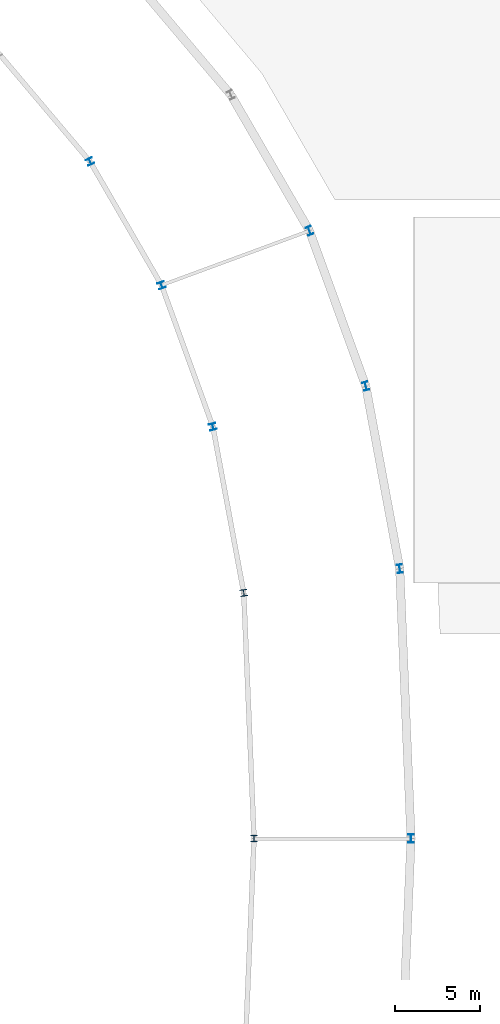
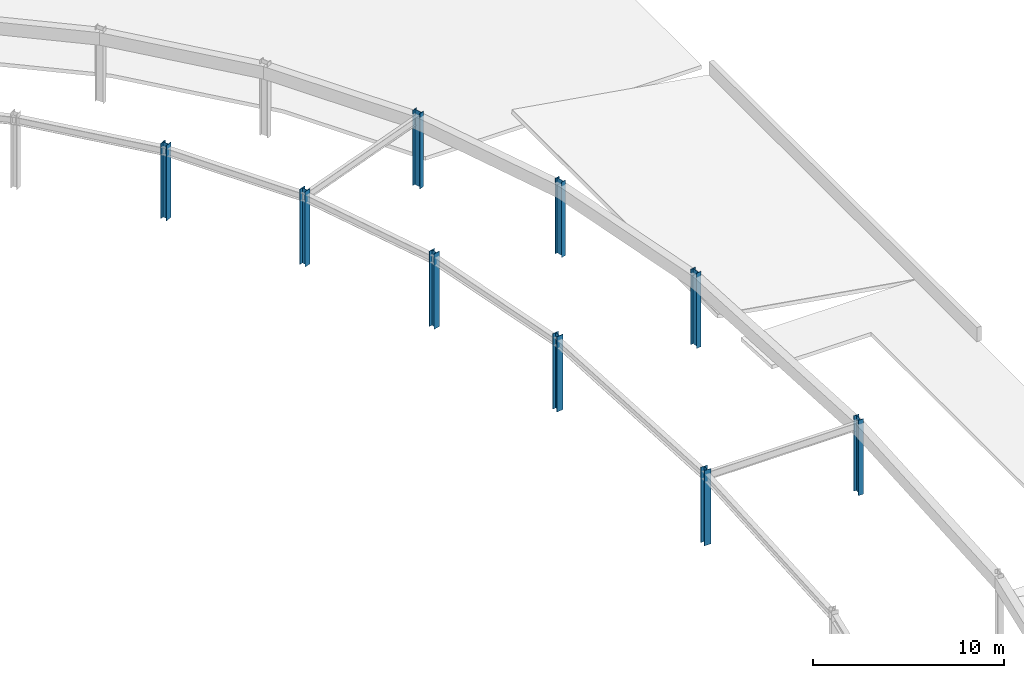
# One storey, part 7 of 45: 9 columns.
"""IFC4 building model written with IfcOpenShell, lengths in metres."""

from ifc_helpers import new_model, si_unit, direction, frame, origin, origin_2d, place, context, subcontext, project, spatial, i_section, extrude, material, material_profile, profile_set, type_object, element, save


model = new_model("IFC4")

# Units and contexts
model_context = context("Model", 3, precision=1e-05, world=origin(), true_north=direction((0.0, 1.0)))
body_context = subcontext(model_context, "Body", "Model", "MODEL_VIEW")
ifc_project = project(units=[si_unit("LENGTHUNIT", "METRE"), si_unit("AREAUNIT", "SQUARE_METRE"), si_unit("VOLUMEUNIT", "CUBIC_METRE"), si_unit("PLANEANGLEUNIT", "RADIAN"), si_unit("MASSUNIT", "GRAM", prefix="KILO")], contexts=[model_context])

# Site, building, storey
site_placement = place(None, origin())
site = spatial("IfcSite", under=ifc_project, at=site_placement, CompositionType="ELEMENT")
building_placement = place(site_placement, origin())
building = spatial("IfcBuilding", under=site, at=building_placement, Name="Mphavela Belvedere Stadium", CompositionType="ELEMENT")
storey_placement = place(building_placement, frame((0.0, 0.0, 24.0)))
storey = spatial("IfcBuildingStorey", under=building, at=storey_placement, Name="L05", CompositionType="ELEMENT", Elevation=24.0)

# Columns
ifc_material_1 = material(Name="Steel S355", Category="steel")
ifc_material_profile_1 = material_profile(ifc_material_1, i_section(OverallWidth=0.39501953125, OverallDepth=0.3798828125, WebThickness=0.0166015625, FlangeThickness=0.02587890625, at=origin_2d()), Name="HD 400x237")
ifc_profile_set_1 = profile_set([ifc_material_profile_1], Name="Steel S355")
column_type_1 = type_object("IfcColumnType", Name="COL-STEEL-HD400", PredefinedType="COLUMN", material=ifc_profile_set_1)
for number, where, z_axis, x_axis, name in (
    (1, (208.60498046875, 87.0, 0.0), (0.0, 0.0, 1.0), (1.0, 0.0, 0.0), "Main bowl column L05 R3-01"),
    (2, (208.0, 101.4248046875, 0.0), (0.0, 0.0, 1.0), (0.98817491911, 0.153330783737, 0.0), "Main bowl column L05 R3-02"),
    (3, (206.1875, 111.181884765625, 0.0), (0.0, 0.0, 1.0), (0.966600102017, 0.256289373133, 0.0), "Main bowl column L05 R3-03"),
    (4, (203.175537109375, 119.484375, 0.0), (0.0, 0.0, 1.0), (0.938372433776, 0.34562577382, 0.0), "Main bowl column L05 R3-04"),
    (5, (198.9755859375, 126.748291015625, 0.0), (0.0, 0.0, 1.0), (0.903858661687, 0.4278311813, 0.0), "Main bowl column L05 R3-05"),
):
    element("IfcColumn", number, at=place(storey_placement, frame(where, z_axis=z_axis, x_axis=x_axis)), inside=storey, type_object=column_type_1, Name=name, PredefinedType="COLUMN", context=body_context, shape_type="SweptSolid", body=[
        extrude(i_section(OverallWidth=0.39501953125, OverallDepth=0.3798828125, WebThickness=0.0166015625, FlangeThickness=0.02587890625, at=origin_2d()), origin(), (0.0, 0.0, 1.0), 4.800048828125),
    ])
ifc_material_2 = material(Name="Steel S355", Category="steel")
ifc_material_profile_2 = material_profile(ifc_material_2, i_section(OverallWidth=0.300048828125, OverallDepth=0.5, WebThickness=0.014404296875, FlangeThickness=0.028076171875, at=origin_2d()), Name="HEB 500")
ifc_profile_set_2 = profile_set([ifc_material_profile_2], Name="Steel S355")
column_type_2 = type_object("IfcColumnType", Name="COL-STEEL-HEB500", PredefinedType="COLUMN", material=ifc_profile_set_2)
for number, where, z_axis, x_axis, name in (
    (6, (217.820068359375, 87.0, 0.0), (0.0, 0.0, 1.0), (1.0, 0.0, 0.0), "Outer colonnade column L05 R4-01"),
    (7, (217.155517578125, 102.844970703125, 0.0), (0.0, 0.0, 1.0), (0.98817491911, 0.153330783737, 0.0), "Outer colonnade column L05 R4-02"),
    (8, (215.16455078125, 113.5625, 0.0), (0.0, 0.0, 1.0), (0.966600102017, 0.256289373133, 0.0), "Outer colonnade column L05 R4-03"),
    (9, (211.856201171875, 122.682373046875, 0.0), (0.0, 0.0, 1.0), (0.938372433776, 0.34562577382, 0.0), "Outer colonnade column L05 R4-04"),
):
    element("IfcColumn", number, at=place(storey_placement, frame(where, z_axis=z_axis, x_axis=x_axis)), inside=storey, type_object=column_type_2, Name=name, PredefinedType="COLUMN", context=body_context, shape_type="SweptSolid", body=[
        extrude(i_section(OverallWidth=0.300048828125, OverallDepth=0.5, WebThickness=0.014404296875, FlangeThickness=0.028076171875, at=origin_2d()), origin(), (0.0, 0.0, 1.0), 4.800048828125),
    ])

save(model, "model.ifc")
